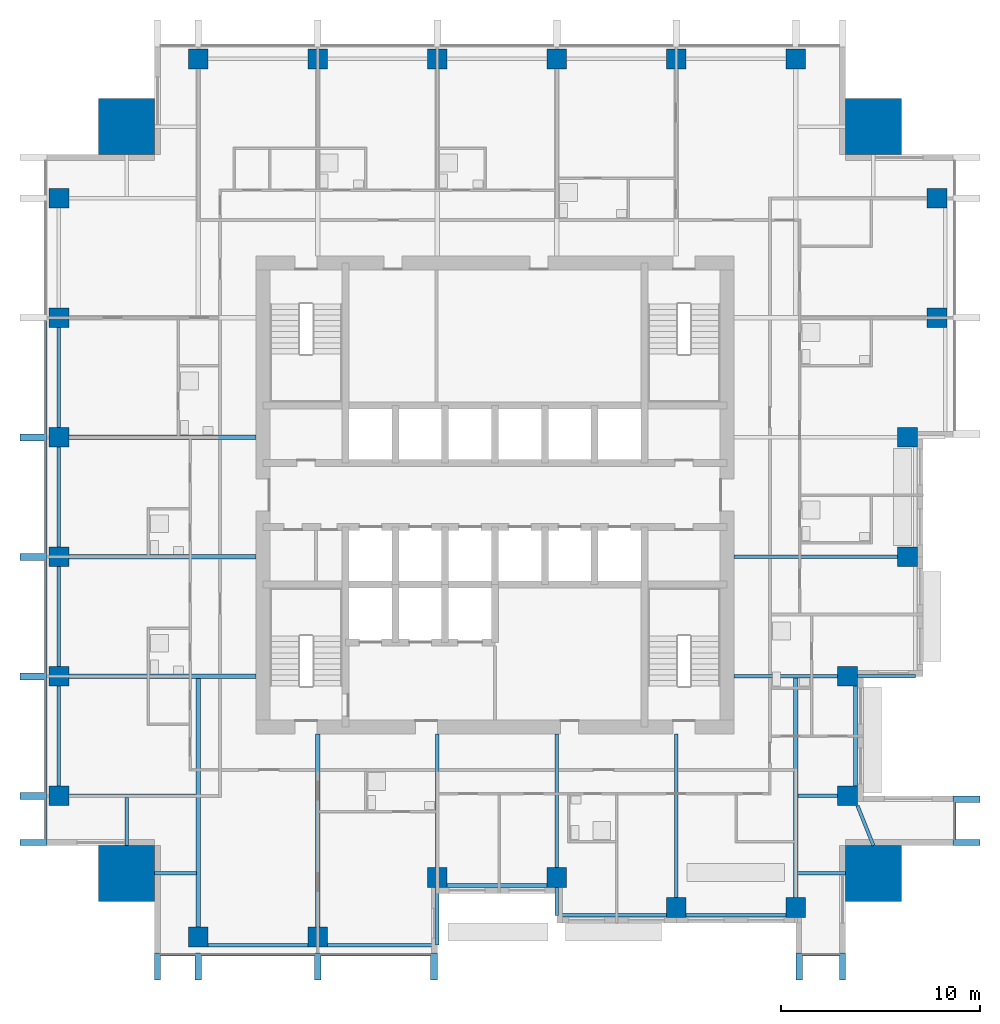
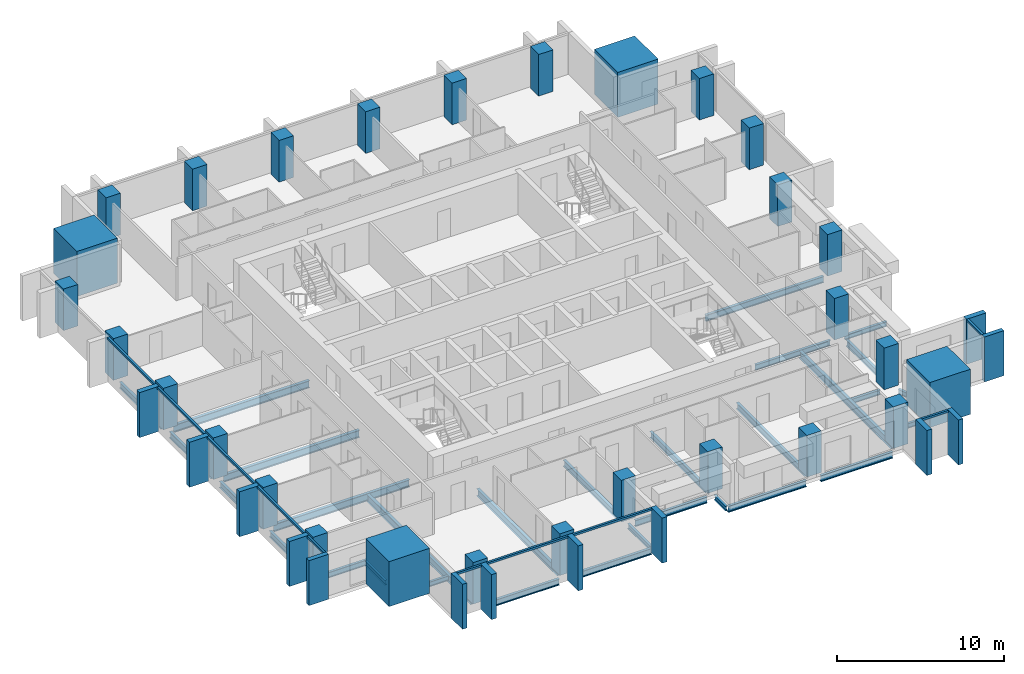
# One storey, part 1 of 10: 30 beams, 28 columns, 23 members, 4 elements without a shape of their own.
"""IFC4 building model written with IfcOpenShell, lengths in metres."""

from ifc_helpers import new_model, si_unit, direction, frame, origin, origin_2d, place, context, subcontext, project, spatial, rectangle, i_section, extrude, material, material_profile, profile_set, type_object, element, aggregate, save


model = new_model("IFC4")

# Units and contexts
model_context = context("Model", 3, precision=1e-05, world=origin(), true_north=direction((0.0, 1.0)))
body_context = subcontext(model_context, "Body", "Model", "MODEL_VIEW")
ifc_project = project(units=[si_unit("LENGTHUNIT", "METRE"), si_unit("AREAUNIT", "SQUARE_METRE"), si_unit("VOLUMEUNIT", "CUBIC_METRE"), si_unit("PLANEANGLEUNIT", "RADIAN"), si_unit("MASSUNIT", "GRAM", prefix="KILO")], contexts=[model_context])

# Site, building, storey
site_placement = place(None, origin())
site = spatial("IfcSite", under=ifc_project, at=site_placement, CompositionType="ELEMENT")
building_placement = place(site_placement, origin())
building = spatial("IfcBuilding", under=site, at=building_placement, Name="Amberfall Residences", CompositionType="ELEMENT")
storey_placement = place(building_placement, frame((0.0, 0.0, 140.5)))
storey = spatial("IfcBuildingStorey", under=building, at=storey_placement, Name="L37", CompositionType="ELEMENT", Elevation=140.5)

# Columns
ifc_material_1 = material(Name="Concrete C60", Category="concrete")
ifc_material_profile_1 = material_profile(ifc_material_1, rectangle(XDim=1.0, YDim=1.0, at=origin_2d()), Name="Column 1000 x 1000 C60")
ifc_profile_set_1 = profile_set([ifc_material_profile_1], Name="Concrete C60")
column_type_1 = type_object("IfcColumnType", Name="Column 1000 x 1000 C60", PredefinedType="COLUMN", material=ifc_profile_set_1)
for number, where, z_axis, x_axis, name in (
    (1, (59.60009765625, 23.300048828125, 0.0), (0.0, 0.0, 1.0), (1.0, 0.0, 0.0), "Column C3 L37 S1"),
    (2, (65.60009765625, 23.300048828125, 0.0), (0.0, 0.0, 1.0), (1.0, 0.0, 0.0), "Column C3 L37 S2"),
    (3, (71.60009765625, 26.300048828125, 0.0), (0.0, 0.0, 1.0), (1.0, 0.0, 0.0), "Column C3 L37 S3"),
    (4, (77.60009765625, 26.300048828125, 0.0), (0.0, 0.0, 1.0), (1.0, 0.0, 0.0), "Column C3 L37 S4"),
    (5, (83.60009765625, 24.800048828125, 0.0), (0.0, 0.0, 1.0), (1.0, 0.0, 0.0), "Column C3 L37 S5"),
    (6, (89.60009765625, 24.800048828125, 0.0), (0.0, 0.0, 1.0), (1.0, 0.0, 0.0), "Column C3 L37 S6"),
    (7, (92.199951171875, 30.39990234375, 0.0), (0.0, 0.0, 1.0), (1.0, 0.0, 0.0), "Column C3 L37 E1"),
    (8, (92.199951171875, 36.39990234375, 0.0), (0.0, 0.0, 1.0), (1.0, 0.0, 0.0), "Column C3 L37 E2"),
    (9, (95.199951171875, 42.39990234375, 0.0), (0.0, 0.0, 1.0), (1.0, 0.0, 0.0), "Column C3 L37 E3"),
    (10, (95.199951171875, 48.39990234375, 0.0), (0.0, 0.0, 1.0), (1.0, 0.0, 0.0), "Column C3 L37 E4"),
    (11, (96.699951171875, 54.39990234375, 0.0), (0.0, 0.0, 1.0), (1.0, 0.0, 0.0), "Column C3 L37 E5"),
    (12, (96.699951171875, 60.39990234375, 0.0), (0.0, 0.0, 1.0), (1.0, 0.0, 0.0), "Column C3 L37 E6"),
    (13, (59.60009765625, 67.39990234375, 0.0), (0.0, 0.0, 1.0), (1.0, 0.0, 0.0), "Column C3 L37 N1"),
    (14, (65.60009765625, 67.39990234375, 0.0), (0.0, 0.0, 1.0), (1.0, 0.0, 0.0), "Column C3 L37 N2"),
    (15, (71.60009765625, 67.39990234375, 0.0), (0.0, 0.0, 1.0), (1.0, 0.0, 0.0), "Column C3 L37 N3"),
    (16, (77.60009765625, 67.39990234375, 0.0), (0.0, 0.0, 1.0), (1.0, 0.0, 0.0), "Column C3 L37 N4"),
    (17, (83.60009765625, 67.39990234375, 0.0), (0.0, 0.0, 1.0), (1.0, 0.0, 0.0), "Column C3 L37 N5"),
    (18, (89.60009765625, 67.39990234375, 0.0), (0.0, 0.0, 1.0), (1.0, 0.0, 0.0), "Column C3 L37 N6"),
    (19, (52.60009765625, 30.39990234375, 0.0), (0.0, 0.0, 1.0), (1.0, 0.0, 0.0), "Column C3 L37 W1"),
    (20, (52.60009765625, 36.39990234375, 0.0), (0.0, 0.0, 1.0), (1.0, 0.0, 0.0), "Column C3 L37 W2"),
    (21, (52.60009765625, 42.39990234375, 0.0), (0.0, 0.0, 1.0), (1.0, 0.0, 0.0), "Column C3 L37 W3"),
    (22, (52.60009765625, 48.39990234375, 0.0), (0.0, 0.0, 1.0), (1.0, 0.0, 0.0), "Column C3 L37 W4"),
    (23, (52.60009765625, 54.39990234375, 0.0), (0.0, 0.0, 1.0), (1.0, 0.0, 0.0), "Column C3 L37 W5"),
    (24, (52.60009765625, 60.39990234375, 0.0), (0.0, 0.0, 1.0), (1.0, 0.0, 0.0), "Column C3 L37 W6"),
):
    element("IfcColumn", number, at=place(storey_placement, frame(where, z_axis=z_axis, x_axis=x_axis)), inside=storey, type_object=column_type_1, Name=name, PredefinedType="COLUMN", context=body_context, shape_type="SweptSolid", body=[
        extrude(rectangle(XDim=1.0, YDim=1.0, at=origin_2d()), origin(), (0.0, 0.0, 1.0), 3.050048828125),
    ])
ifc_material_profile_2 = material_profile(ifc_material_1, rectangle(XDim=2.800048828125, YDim=2.800048828125, at=origin_2d()), Name="Mega column 2800 x 2800 C60")
ifc_profile_set_2 = profile_set([ifc_material_profile_2], Name="Concrete C60")
column_type_2 = type_object("IfcColumnType", Name="Mega column 2800 x 2800 C60", PredefinedType="COLUMN", material=ifc_profile_set_2)
for number, where, z_axis, x_axis, name in (
    (25, (56.0, 26.5, 0.0), (0.0, 0.0, 1.0), (1.0, 0.0, 0.0), "Mega column MC5 L37 SW"),
    (26, (93.5, 26.5, 0.0), (0.0, 0.0, 1.0), (1.0, 0.0, 0.0), "Mega column MC5 L37 SE"),
    (27, (93.5, 64.0, 0.0), (0.0, 0.0, 1.0), (1.0, 0.0, 0.0), "Mega column MC5 L37 NE"),
    (28, (56.0, 64.0, 0.0), (0.0, 0.0, 1.0), (1.0, 0.0, 0.0), "Mega column MC5 L37 NW"),
):
    element("IfcColumn", number, at=place(storey_placement, frame(where, z_axis=z_axis, x_axis=x_axis)), inside=storey, type_object=column_type_2, Name=name, PredefinedType="COLUMN", context=body_context, shape_type="SweptSolid", body=[
        extrude(rectangle(XDim=2.800048828125, YDim=2.800048828125, at=origin_2d()), origin(), (0.0, 0.0, 1.0), 3.300048828125),
    ])

# Curtain wall, members
ifc_material_2 = material(Name="Bronze anodised aluminium and glass", Category="aluminium")
curtain_wall_type = type_object("IfcCurtainWallType", Name="Curtain wall CW1 tower unit", PredefinedType="USERDEFINED", material=ifc_material_2)
curtain_wall_1_placement = place(storey_placement, origin())
curtain_wall_1 = element("IfcCurtainWall", 29, at=curtain_wall_1_placement, inside=storey, type_object=curtain_wall_type, Name="Curtain wall L37 S S1", ObjectType="UNITISED CURTAIN WALL", PredefinedType="USERDEFINED")
ifc_material_3 = material(Name="Bronze anodised aluminium", Category="aluminium")
ifc_material_profile_3 = material_profile(ifc_material_3, rectangle(XDim=0.14990234375, YDim=0.14990234375, at=origin_2d()), Name="CW1 transom 150 x 150 bronze")
ifc_profile_set_3 = profile_set([ifc_material_profile_3], Name="Bronze anodised aluminium")
member_type_1 = type_object("IfcMemberType", Name="CW1 transom 150 x 150 bronze", PredefinedType="USERDEFINED", material=ifc_profile_set_3)
member_1_placement = place(storey_placement, frame((57.699951171875, 22.425048828125, 2.97509765625), z_axis=(1.0, 0.0, 0.0), x_axis=(0.0, 1.0, 0.0)))
member_1 = element("IfcMember", 30, at=member_1_placement, type_object=member_type_1, Name="CW1 transom 1.1", ObjectType="TRANSOM", PredefinedType="USERDEFINED", context=body_context, shape_type="SweptSolid", body=[
    extrude(rectangle(XDim=0.14990234375, YDim=0.14990234375, at=origin_2d()), origin(), (0.0, 0.0, 1.0), 1.72509765625),
])
member_2_placement = place(storey_placement, frame((59.77490234375, 22.425048828125, 2.97509765625), z_axis=(1.0, 0.0, 0.0), x_axis=(0.0, 1.0, 0.0)))
member_2 = element("IfcMember", 31, at=member_2_placement, type_object=member_type_1, Name="CW1 transom 2.1", ObjectType="TRANSOM", PredefinedType="USERDEFINED", context=body_context, shape_type="SweptSolid", body=[
    extrude(rectangle(XDim=0.14990234375, YDim=0.14990234375, at=origin_2d()), origin(), (0.0, 0.0, 1.0), 5.650146484375),
])
member_3_placement = place(storey_placement, frame((65.77490234375, 22.425048828125, 2.97509765625), z_axis=(1.0, 0.0, 0.0), x_axis=(0.0, 1.0, 0.0)))
member_3 = element("IfcMember", 32, at=member_3_placement, type_object=member_type_1, Name="CW1 transom 3.1", ObjectType="TRANSOM", PredefinedType="USERDEFINED", context=body_context, shape_type="SweptSolid", body=[
    extrude(rectangle(XDim=0.14990234375, YDim=0.14990234375, at=origin_2d()), origin(), (0.0, 0.0, 1.0), 5.47509765625),
])

# Curtain wall, member
curtain_wall_2_placement = place(storey_placement, origin())
curtain_wall_2 = element("IfcCurtainWall", 33, at=curtain_wall_2_placement, inside=storey, type_object=curtain_wall_type, Name="Curtain wall L37 S S8", ObjectType="UNITISED CURTAIN WALL", PredefinedType="USERDEFINED")
member_4_placement = place(storey_placement, frame((89.949951171875, 22.425048828125, 2.97509765625), z_axis=(1.0, 0.0, 0.0), x_axis=(0.0, 1.0, 0.0)))
member_4 = element("IfcMember", 34, at=member_4_placement, type_object=member_type_1, Name="CW1 transom 1.1", ObjectType="TRANSOM", PredefinedType="USERDEFINED", context=body_context, shape_type="SweptSolid", body=[
    extrude(rectangle(XDim=0.14990234375, YDim=0.14990234375, at=origin_2d()), origin(), (0.0, 0.0, 1.0), 1.85009765625),
])

curtain_wall_3_placement = place(storey_placement, origin())
curtain_wall_3 = element("IfcCurtainWall", 35, at=curtain_wall_3_placement, inside=storey, type_object=curtain_wall_type, Name="Curtain wall L37 E E1", ObjectType="UNITISED CURTAIN WALL", PredefinedType="USERDEFINED")
member_5_placement = place(storey_placement, frame((97.574951171875, 28.199951171875, 2.97509765625), z_axis=(0.0, 1.0, 0.0), x_axis=(-1.0, 0.0, 0.0)))
member_5 = element("IfcMember", 36, at=member_5_placement, type_object=member_type_1, Name="CW1 transom 1.1", ObjectType="TRANSOM", PredefinedType="USERDEFINED", context=body_context, shape_type="SweptSolid", body=[
    extrude(rectangle(XDim=0.14990234375, YDim=0.14990234375, at=origin_2d()), origin(), (0.0, 0.0, 1.0), 1.85009765625),
])

# Curtain wall, members
curtain_wall_4_placement = place(storey_placement, origin())
curtain_wall_4 = element("IfcCurtainWall", 37, at=curtain_wall_4_placement, inside=storey, type_object=curtain_wall_type, Name="Curtain wall L37 W W1", ObjectType="UNITISED CURTAIN WALL", PredefinedType="USERDEFINED")
member_6_placement = place(storey_placement, frame((51.925048828125, 54.22509765625, 2.97509765625), z_axis=(0.0, -1.0, 0.0), x_axis=(1.0, 0.0, 0.0)))
member_6 = element("IfcMember", 38, at=member_6_placement, type_object=member_type_1, Name="CW1 transom 3.1", ObjectType="TRANSOM", PredefinedType="USERDEFINED", context=body_context, shape_type="SweptSolid", body=[
    extrude(rectangle(XDim=0.14990234375, YDim=0.14990234375, at=origin_2d()), origin(), (0.0, 0.0, 1.0), 5.650146484375),
])
member_7_placement = place(storey_placement, frame((51.925048828125, 48.22509765625, 2.97509765625), z_axis=(0.0, -1.0, 0.0), x_axis=(1.0, 0.0, 0.0)))
member_7 = element("IfcMember", 39, at=member_7_placement, type_object=member_type_1, Name="CW1 transom 4.1", ObjectType="TRANSOM", PredefinedType="USERDEFINED", context=body_context, shape_type="SweptSolid", body=[
    extrude(rectangle(XDim=0.14990234375, YDim=0.14990234375, at=origin_2d()), origin(), (0.0, 0.0, 1.0), 5.650146484375),
])
member_8_placement = place(storey_placement, frame((51.925048828125, 42.22509765625, 2.97509765625), z_axis=(0.0, -1.0, 0.0), x_axis=(1.0, 0.0, 0.0)))
member_8 = element("IfcMember", 40, at=member_8_placement, type_object=member_type_1, Name="CW1 transom 5.1", ObjectType="TRANSOM", PredefinedType="USERDEFINED", context=body_context, shape_type="SweptSolid", body=[
    extrude(rectangle(XDim=0.14990234375, YDim=0.14990234375, at=origin_2d()), origin(), (0.0, 0.0, 1.0), 5.650146484375),
])
member_9_placement = place(storey_placement, frame((51.925048828125, 36.22509765625, 2.97509765625), z_axis=(0.0, -1.0, 0.0), x_axis=(1.0, 0.0, 0.0)))
member_9 = element("IfcMember", 41, at=member_9_placement, type_object=member_type_1, Name="CW1 transom 6.1", ObjectType="TRANSOM", PredefinedType="USERDEFINED", context=body_context, shape_type="SweptSolid", body=[
    extrude(rectangle(XDim=0.14990234375, YDim=0.14990234375, at=origin_2d()), origin(), (0.0, 0.0, 1.0), 5.650146484375),
])
member_10_placement = place(storey_placement, frame((51.925048828125, 30.22509765625, 2.97509765625), z_axis=(0.0, -1.0, 0.0), x_axis=(1.0, 0.0, 0.0)))
member_10 = element("IfcMember", 42, at=member_10_placement, type_object=member_type_1, Name="CW1 transom 7.1", ObjectType="TRANSOM", PredefinedType="USERDEFINED", context=body_context, shape_type="SweptSolid", body=[
    extrude(rectangle(XDim=0.14990234375, YDim=0.14990234375, at=origin_2d()), origin(), (0.0, 0.0, 1.0), 2.025146484375),
])

# Beams
ifc_material_4 = material(Name="Steel S355", Category="steel")
ifc_material_profile_4 = material_profile(ifc_material_4, i_section(OverallWidth=0.171142578125, OverallDepth=0.351318359375, WebThickness=0.007080078125, FlangeThickness=0.009765625, FilletRadius=0.01025390625, at=origin_2d()), Name="UB 356x171x45")
ifc_profile_set_4 = profile_set([ifc_material_profile_4], Name="Steel S355")
beam_type_1 = type_object("IfcBeamType", Name="Cantilever girder UB 356x171x45", PredefinedType="BEAM", material=ifc_profile_set_4)
beam_1_placement = place(storey_placement, frame((71.60009765625, 25.800048828125, -0.42578125), z_axis=(0.0, -1.0, 0.0), x_axis=(1.0, 0.0, 0.0)))
element("IfcBeam", 43, at=beam_1_placement, inside=storey, type_object=beam_type_1, Name="Cantilever girder B8 L37 06", PredefinedType="BEAM", context=body_context, shape_type="SweptSolid", body=[
    extrude(i_section(OverallWidth=0.171142578125, OverallDepth=0.351318359375, WebThickness=0.007080078125, FlangeThickness=0.009765625, FilletRadius=0.01025390625, at=origin_2d()), origin(), (0.0, 0.0, 1.0), 2.900146484375),
])
beam_2_placement = place(storey_placement, frame((77.60009765625, 25.800048828125, -0.42578125), z_axis=(0.0, -1.0, 0.0), x_axis=(1.0, 0.0, 0.0)))
element("IfcBeam", 44, at=beam_2_placement, inside=storey, type_object=beam_type_1, Name="Cantilever girder B8 L37 07", PredefinedType="BEAM", context=body_context, shape_type="SweptSolid", body=[
    extrude(i_section(OverallWidth=0.171142578125, OverallDepth=0.351318359375, WebThickness=0.007080078125, FlangeThickness=0.009765625, FilletRadius=0.01025390625, at=origin_2d()), origin(), (0.0, 0.0, 1.0), 1.400146484375),
])
beam_3_placement = place(storey_placement, frame((92.699951171875, 36.39990234375, -0.42578125), z_axis=(1.0, 0.0, 0.0), x_axis=(0.0, 1.0, 0.0)))
element("IfcBeam", 45, at=beam_3_placement, inside=storey, type_object=beam_type_1, Name="Cantilever girder B8 L37 19", PredefinedType="BEAM", context=body_context, shape_type="SweptSolid", body=[
    extrude(i_section(OverallWidth=0.171142578125, OverallDepth=0.351318359375, WebThickness=0.007080078125, FlangeThickness=0.009765625, FilletRadius=0.01025390625, at=origin_2d()), origin(), (0.0, 0.0, 1.0), 2.900146484375),
])

# Member
ifc_material_profile_5 = material_profile(ifc_material_3, rectangle(XDim=1.35009765625, YDim=0.300048828125, at=origin_2d()), Name="Corner fin 300 x 1350 bronze")
ifc_profile_set_5 = profile_set([ifc_material_profile_5], Name="Bronze anodised aluminium")
member_type_2 = type_object("IfcMemberType", Name="Corner fin 300 x 1350 bronze", PredefinedType="MULLION", material=ifc_profile_set_5)
member_11_placement = place(storey_placement, frame((57.550048828125, 21.824951171875, -0.25), z_axis=(0.0, 0.0, 1.0), x_axis=(0.0, 1.0, 0.0)))
member_11 = element("IfcMember", 46, at=member_11_placement, type_object=member_type_2, Name="CW FIN 1", PredefinedType="MULLION", context=body_context, shape_type="SweptSolid", body=[
    extrude(rectangle(XDim=1.35009765625, YDim=0.300048828125, at=origin_2d()), origin(), (0.0, 0.0, 1.0), 3.300048828125),
])

member_12_placement = place(storey_placement, frame((91.949951171875, 21.824951171875, -0.25), z_axis=(0.0, 0.0, 1.0), x_axis=(0.0, 1.0, 0.0)))
member_12 = element("IfcMember", 47, at=member_12_placement, type_object=member_type_2, Name="CW FIN 2", PredefinedType="MULLION", context=body_context, shape_type="SweptSolid", body=[
    extrude(rectangle(XDim=1.35009765625, YDim=0.300048828125, at=origin_2d()), origin(), (0.0, 0.0, 1.0), 3.300048828125),
])

member_13_placement = place(storey_placement, frame((98.175048828125, 28.050048828125, -0.25), z_axis=(0.0, 0.0, 1.0), x_axis=(-1.0, 0.0, 0.0)))
member_13 = element("IfcMember", 48, at=member_13_placement, type_object=member_type_2, Name="CW FIN 1", PredefinedType="MULLION", context=body_context, shape_type="SweptSolid", body=[
    extrude(rectangle(XDim=1.35009765625, YDim=0.300048828125, at=origin_2d()), origin(), (0.0, 0.0, 1.0), 3.300048828125),
])

member_14_placement = place(storey_placement, frame((51.324951171875, 28.050048828125, -0.25), z_axis=(0.0, 0.0, 1.0), x_axis=(1.0, 0.0, 0.0)))
member_14 = element("IfcMember", 49, at=member_14_placement, type_object=member_type_2, Name="CW FIN 8", PredefinedType="MULLION", context=body_context, shape_type="SweptSolid", body=[
    extrude(rectangle(XDim=1.35009765625, YDim=0.300048828125, at=origin_2d()), origin(), (0.0, 0.0, 1.0), 3.300048828125),
])

# Beams
ifc_material_profile_6 = material_profile(ifc_material_4, i_section(OverallWidth=0.18994140625, OverallDepth=0.453369140625, WebThickness=0.008544921875, FlangeThickness=0.0126953125, FilletRadius=0.01025390625, at=origin_2d()), Name="UB 457x191x67")
ifc_profile_set_6 = profile_set([ifc_material_profile_6], Name="Steel S355")
beam_type_2 = type_object("IfcBeamType", Name="Edge beam UB 457x191x67", PredefinedType="SPANDREL", material=ifc_profile_set_6)
beam_4_placement = place(storey_placement, frame((60.10009765625, 22.89990234375, -0.476806640625), z_axis=(1.0, 0.0, 0.0), x_axis=(0.0, 1.0, 0.0)))
element("IfcBeam", 50, at=beam_4_placement, inside=storey, type_object=beam_type_2, Name="Edge beam B1 L37 01", PredefinedType="SPANDREL", context=body_context, shape_type="SweptSolid", body=[
    extrude(i_section(OverallWidth=0.18994140625, OverallDepth=0.453369140625, WebThickness=0.008544921875, FlangeThickness=0.0126953125, FilletRadius=0.01025390625, at=origin_2d()), origin(), (0.0, 0.0, 1.0), 5.0),
])
beam_5_placement = place(storey_placement, frame((66.10009765625, 22.89990234375, -0.476806640625), z_axis=(1.0, 0.0, 0.0), x_axis=(0.0, 1.0, 0.0)))
element("IfcBeam", 51, at=beam_5_placement, inside=storey, type_object=beam_type_2, Name="Edge beam B1 L37 02", PredefinedType="SPANDREL", context=body_context, shape_type="SweptSolid", body=[
    extrude(i_section(OverallWidth=0.18994140625, OverallDepth=0.453369140625, WebThickness=0.008544921875, FlangeThickness=0.0126953125, FilletRadius=0.01025390625, at=origin_2d()), origin(), (0.0, 0.0, 1.0), 5.419921875),
])
beam_6_placement = place(storey_placement, frame((72.10009765625, 25.89990234375, -0.476806640625), z_axis=(1.0, 0.0, 0.0), x_axis=(0.0, 1.0, 0.0)))
element("IfcBeam", 52, at=beam_6_placement, inside=storey, type_object=beam_type_2, Name="Edge beam B1 L37 03", PredefinedType="SPANDREL", context=body_context, shape_type="SweptSolid", body=[
    extrude(i_section(OverallWidth=0.18994140625, OverallDepth=0.453369140625, WebThickness=0.008544921875, FlangeThickness=0.0126953125, FilletRadius=0.01025390625, at=origin_2d()), origin(), (0.0, 0.0, 1.0), 5.0),
])
beam_7_placement = place(storey_placement, frame((77.679931640625, 24.39990234375, -0.476806640625), z_axis=(1.0, 0.0, 0.0), x_axis=(0.0, 1.0, 0.0)))
element("IfcBeam", 53, at=beam_7_placement, inside=storey, type_object=beam_type_2, Name="Edge beam B1 L37 04", PredefinedType="SPANDREL", context=body_context, shape_type="SweptSolid", body=[
    extrude(i_section(OverallWidth=0.18994140625, OverallDepth=0.453369140625, WebThickness=0.008544921875, FlangeThickness=0.0126953125, FilletRadius=0.01025390625, at=origin_2d()), origin(), (0.0, 0.0, 1.0), 5.420166015625),
])
for number, where, z_axis, x_axis, name in (
    (54, (84.10009765625, 24.39990234375, -0.476806640625), (1.0, 0.0, 0.0), (0.0, 1.0, 0.0), "Edge beam B1 L37 05"),
    (55, (92.60009765625, 30.89990234375, -0.476806640625), (0.0, 1.0, 0.0), (-1.0, 0.0, 0.0), "Edge beam B1 L37 14"),
    (56, (52.60009765625, 30.89990234375, -0.476806640625), (0.0, 1.0, 0.0), (-1.0, 0.0, 0.0), "Edge beam B1 L37 38"),
    (57, (52.60009765625, 36.89990234375, -0.476806640625), (0.0, 1.0, 0.0), (-1.0, 0.0, 0.0), "Edge beam B1 L37 39"),
    (58, (52.60009765625, 42.89990234375, -0.476806640625), (0.0, 1.0, 0.0), (-1.0, 0.0, 0.0), "Edge beam B1 L37 40"),
    (59, (52.60009765625, 48.89990234375, -0.476806640625), (0.0, 1.0, 0.0), (-1.0, 0.0, 0.0), "Edge beam B1 L37 41"),
):
    element("IfcBeam", number, at=place(storey_placement, frame(where, z_axis=z_axis, x_axis=x_axis)), inside=storey, type_object=beam_type_2, Name=name, PredefinedType="SPANDREL", context=body_context, shape_type="SweptSolid", body=[
        extrude(i_section(OverallWidth=0.18994140625, OverallDepth=0.453369140625, WebThickness=0.008544921875, FlangeThickness=0.0126953125, FilletRadius=0.01025390625, at=origin_2d()), origin(), (0.0, 0.0, 1.0), 5.0),
    ])

# Member
ifc_material_profile_7 = material_profile(ifc_material_3, rectangle(XDim=1.35009765625, YDim=0.35009765625, at=origin_2d()), Name="Fin 350 x 1350 bronze")
ifc_profile_set_7 = profile_set([ifc_material_profile_7], Name="Bronze anodised aluminium")
member_type_3 = type_object("IfcMemberType", Name="Fin 350 x 1350 bronze", PredefinedType="MULLION", material=ifc_profile_set_7)
member_15_placement = place(storey_placement, frame((59.60009765625, 21.824951171875, -0.25), z_axis=(0.0, 0.0, 1.0), x_axis=(0.0, 1.0, 0.0)))
member_15 = element("IfcMember", 60, at=member_15_placement, type_object=member_type_3, Name="CW FIN 2", PredefinedType="MULLION", context=body_context, shape_type="SweptSolid", body=[
    extrude(rectangle(XDim=1.35009765625, YDim=0.35009765625, at=origin_2d()), origin(), (0.0, 0.0, 1.0), 3.300048828125),
])

member_16_placement = place(storey_placement, frame((65.60009765625, 21.824951171875, -0.25), z_axis=(0.0, 0.0, 1.0), x_axis=(0.0, 1.0, 0.0)))
member_16 = element("IfcMember", 61, at=member_16_placement, type_object=member_type_3, Name="CW FIN 3", PredefinedType="MULLION", context=body_context, shape_type="SweptSolid", body=[
    extrude(rectangle(XDim=1.35009765625, YDim=0.35009765625, at=origin_2d()), origin(), (0.0, 0.0, 1.0), 3.300048828125),
])

member_17_placement = place(storey_placement, frame((71.425048828125, 21.824951171875, -0.25), z_axis=(0.0, 0.0, 1.0), x_axis=(0.0, 1.0, 0.0)))
member_17 = element("IfcMember", 62, at=member_17_placement, type_object=member_type_3, Name="CW FIN 4", PredefinedType="MULLION", context=body_context, shape_type="SweptSolid", body=[
    extrude(rectangle(XDim=1.35009765625, YDim=0.35009765625, at=origin_2d()), origin(), (0.0, 0.0, 1.0), 3.300048828125),
])

aggregate(curtain_wall_1, [member_11, member_15, member_16, member_17, member_1, member_2, member_3])

member_18_placement = place(storey_placement, frame((89.77490234375, 21.824951171875, -0.25), z_axis=(0.0, 0.0, 1.0), x_axis=(0.0, 1.0, 0.0)))
member_18 = element("IfcMember", 63, at=member_18_placement, type_object=member_type_3, Name="CW FIN 1", PredefinedType="MULLION", context=body_context, shape_type="SweptSolid", body=[
    extrude(rectangle(XDim=1.35009765625, YDim=0.35009765625, at=origin_2d()), origin(), (0.0, 0.0, 1.0), 3.300048828125),
])

aggregate(curtain_wall_2, [member_18, member_12, member_4])

member_19_placement = place(storey_placement, frame((98.175048828125, 30.22509765625, -0.25), z_axis=(0.0, 0.0, 1.0), x_axis=(-1.0, 0.0, 0.0)))
member_19 = element("IfcMember", 64, at=member_19_placement, type_object=member_type_3, Name="CW FIN 2", PredefinedType="MULLION", context=body_context, shape_type="SweptSolid", body=[
    extrude(rectangle(XDim=1.35009765625, YDim=0.35009765625, at=origin_2d()), origin(), (0.0, 0.0, 1.0), 3.300048828125),
])

aggregate(curtain_wall_3, [member_13, member_19, member_5])

member_20_placement = place(storey_placement, frame((51.324951171875, 48.39990234375, -0.25), z_axis=(0.0, 0.0, 1.0), x_axis=(1.0, 0.0, 0.0)))
member_20 = element("IfcMember", 65, at=member_20_placement, type_object=member_type_3, Name="CW FIN 4", PredefinedType="MULLION", context=body_context, shape_type="SweptSolid", body=[
    extrude(rectangle(XDim=1.35009765625, YDim=0.35009765625, at=origin_2d()), origin(), (0.0, 0.0, 1.0), 3.300048828125),
])

member_21_placement = place(storey_placement, frame((51.324951171875, 42.39990234375, -0.25), z_axis=(0.0, 0.0, 1.0), x_axis=(1.0, 0.0, 0.0)))
member_21 = element("IfcMember", 66, at=member_21_placement, type_object=member_type_3, Name="CW FIN 5", PredefinedType="MULLION", context=body_context, shape_type="SweptSolid", body=[
    extrude(rectangle(XDim=1.35009765625, YDim=0.35009765625, at=origin_2d()), origin(), (0.0, 0.0, 1.0), 3.300048828125),
])

member_22_placement = place(storey_placement, frame((51.324951171875, 36.39990234375, -0.25), z_axis=(0.0, 0.0, 1.0), x_axis=(1.0, 0.0, 0.0)))
member_22 = element("IfcMember", 67, at=member_22_placement, type_object=member_type_3, Name="CW FIN 6", PredefinedType="MULLION", context=body_context, shape_type="SweptSolid", body=[
    extrude(rectangle(XDim=1.35009765625, YDim=0.35009765625, at=origin_2d()), origin(), (0.0, 0.0, 1.0), 3.300048828125),
])

member_23_placement = place(storey_placement, frame((51.324951171875, 30.39990234375, -0.25), z_axis=(0.0, 0.0, 1.0), x_axis=(1.0, 0.0, 0.0)))
member_23 = element("IfcMember", 68, at=member_23_placement, type_object=member_type_3, Name="CW FIN 7", PredefinedType="MULLION", context=body_context, shape_type="SweptSolid", body=[
    extrude(rectangle(XDim=1.35009765625, YDim=0.35009765625, at=origin_2d()), origin(), (0.0, 0.0, 1.0), 3.300048828125),
])

aggregate(curtain_wall_4, [member_20, member_21, member_22, member_23, member_14, member_6, member_7, member_8, member_9, member_10])

# Beams
ifc_material_profile_8 = material_profile(ifc_material_4, i_section(OverallWidth=0.171142578125, OverallDepth=0.351318359375, WebThickness=0.007080078125, FlangeThickness=0.009765625, FilletRadius=0.01025390625, at=origin_2d()), Name="UB 356x171x45")
ifc_profile_set_8 = profile_set([ifc_material_profile_8], Name="Steel S355")
beam_type_3 = type_object("IfcBeamType", Name="Floor girder UB 356x171x45", PredefinedType="BEAM", material=ifc_profile_set_8)
beam_8_placement = place(storey_placement, frame((91.699951171875, 30.39990234375, -0.42578125), z_axis=(-1.0, 0.0, 0.0), x_axis=(0.0, -1.0, 0.0)))
element("IfcBeam", 69, at=beam_8_placement, inside=storey, type_object=beam_type_3, Name="Floor girder B11 L37 21", PredefinedType="BEAM", context=body_context, shape_type="SweptSolid", body=[
    extrude(i_section(OverallWidth=0.171142578125, OverallDepth=0.351318359375, WebThickness=0.007080078125, FlangeThickness=0.009765625, FilletRadius=0.01025390625, at=origin_2d()), origin(), (0.0, 0.0, 1.0), 1.97998046875),
])
ifc_material_profile_9 = material_profile(ifc_material_4, i_section(OverallWidth=0.177734375, OverallDepth=0.402587890625, WebThickness=0.0078125, FlangeThickness=0.010986328125, FilletRadius=0.01025390625, at=origin_2d()), Name="UB 406x178x54")
ifc_profile_set_9 = profile_set([ifc_material_profile_9], Name="Steel S355")
beam_type_4 = type_object("IfcBeamType", Name="Floor girder UB 406x178x54", PredefinedType="BEAM", material=ifc_profile_set_9)
beam_9_placement = place(storey_placement, frame((91.699951171875, 36.39990234375, -0.451416015625), z_axis=(-1.0, 0.0, 0.0), x_axis=(0.0, -1.0, 0.0)))
element("IfcBeam", 70, at=beam_9_placement, inside=storey, type_object=beam_type_4, Name="Floor girder B4 L37 22", PredefinedType="BEAM", context=body_context, shape_type="SweptSolid", body=[
    extrude(i_section(OverallWidth=0.177734375, OverallDepth=0.402587890625, WebThickness=0.0078125, FlangeThickness=0.010986328125, FilletRadius=0.01025390625, at=origin_2d()), origin(), (0.0, 0.0, 1.0), 5.199951171875),
])
beam_10_placement = place(storey_placement, frame((53.10009765625, 30.39990234375, -0.451416015625), z_axis=(1.0, 0.0, 0.0), x_axis=(0.0, 1.0, 0.0)))
element("IfcBeam", 71, at=beam_10_placement, inside=storey, type_object=beam_type_4, Name="Floor girder B4 L37 43", PredefinedType="BEAM", context=body_context, shape_type="SweptSolid", body=[
    extrude(i_section(OverallWidth=0.177734375, OverallDepth=0.402587890625, WebThickness=0.0078125, FlangeThickness=0.010986328125, FilletRadius=0.01025390625, at=origin_2d()), origin(), (0.0, 0.0, 1.0), 6.3798828125),
])
ifc_material_profile_10 = material_profile(ifc_material_4, i_section(OverallWidth=0.19140625, OverallDepth=0.4599609375, WebThickness=0.010009765625, FlangeThickness=0.01611328125, FilletRadius=0.01025390625, at=origin_2d()), Name="UB 457x191x82")
ifc_profile_set_10 = profile_set([ifc_material_profile_10], Name="Steel S355")
beam_type_5 = type_object("IfcBeamType", Name="Floor girder UB 457x191x82", PredefinedType="BEAM", material=ifc_profile_set_10)
for number, where, z_axis, x_axis, name in (
    (72, (71.60009765625, 26.800048828125, -0.47998046875), (0.0, 1.0, 0.0), (-1.0, 0.0, 0.0), "Floor girder B10 L37 10"),
    (73, (77.60009765625, 26.800048828125, -0.47998046875), (0.0, 1.0, 0.0), (-1.0, 0.0, 0.0), "Floor girder B10 L37 11"),
):
    element("IfcBeam", number, at=place(storey_placement, frame(where, z_axis=z_axis, x_axis=x_axis)), inside=storey, type_object=beam_type_5, Name=name, PredefinedType="BEAM", context=body_context, shape_type="SweptSolid", body=[
        extrude(i_section(OverallWidth=0.19140625, OverallDepth=0.4599609375, WebThickness=0.010009765625, FlangeThickness=0.01611328125, FilletRadius=0.01025390625, at=origin_2d()), origin(), (0.0, 0.0, 1.0), 6.699951171875),
    ])
for number, where, z_axis, x_axis, name in (
    (74, (83.60009765625, 25.300048828125, -0.47998046875), (0.0, 1.0, 0.0), (-1.0, 0.0, 0.0), "Floor girder B10 L37 12"),
    (75, (94.699951171875, 42.39990234375, -0.47998046875), (-1.0, 0.0, 0.0), (0.0, -1.0, 0.0), "Floor girder B10 L37 23"),
):
    element("IfcBeam", number, at=place(storey_placement, frame(where, z_axis=z_axis, x_axis=x_axis)), inside=storey, type_object=beam_type_5, Name=name, PredefinedType="BEAM", context=body_context, shape_type="SweptSolid", body=[
        extrude(i_section(OverallWidth=0.19140625, OverallDepth=0.4599609375, WebThickness=0.010009765625, FlangeThickness=0.01611328125, FilletRadius=0.01025390625, at=origin_2d()), origin(), (0.0, 0.0, 1.0), 8.199951171875),
    ])
ifc_material_profile_11 = material_profile(ifc_material_4, i_section(OverallWidth=0.210693359375, OverallDepth=0.53955078125, WebThickness=0.01171875, FlangeThickness=0.018798828125, FilletRadius=0.0126953125, at=origin_2d()), Name="UB 533x210x109")
ifc_profile_set_11 = profile_set([ifc_material_profile_11], Name="Steel S355")
beam_type_6 = type_object("IfcBeamType", Name="Floor girder UB 533x210x109", PredefinedType="BEAM", material=ifc_profile_set_11)
beam_11_placement = place(storey_placement, frame((59.60009765625, 23.800048828125, -0.519775390625), z_axis=(0.0, 1.0, 0.0), x_axis=(-1.0, 0.0, 0.0)))
element("IfcBeam", 76, at=beam_11_placement, inside=storey, type_object=beam_type_6, Name="Floor girder B2 L37 08", PredefinedType="BEAM", context=body_context, shape_type="SweptSolid", body=[
    extrude(i_section(OverallWidth=0.210693359375, OverallDepth=0.53955078125, WebThickness=0.01171875, FlangeThickness=0.018798828125, FilletRadius=0.0126953125, at=origin_2d()), origin(), (0.0, 0.0, 1.0), 12.500244140625),
])
beam_12_placement = place(storey_placement, frame((89.60009765625, 25.300048828125, -0.519775390625), z_axis=(0.0, 1.0, 0.0), x_axis=(-1.0, 0.0, 0.0)))
element("IfcBeam", 77, at=beam_12_placement, inside=storey, type_object=beam_type_6, Name="Floor girder B2 L37 13", PredefinedType="BEAM", context=body_context, shape_type="SweptSolid", body=[
    extrude(i_section(OverallWidth=0.210693359375, OverallDepth=0.53955078125, WebThickness=0.01171875, FlangeThickness=0.018798828125, FilletRadius=0.0126953125, at=origin_2d()), origin(), (0.0, 0.0, 1.0), 11.01611328125),
])
ifc_material_profile_12 = material_profile(ifc_material_4, i_section(OverallWidth=0.209228515625, OverallDepth=0.533203125, WebThickness=0.010009765625, FlangeThickness=0.015625, FilletRadius=0.0126953125, at=origin_2d()), Name="UB 533x210x92")
ifc_profile_set_12 = profile_set([ifc_material_profile_12], Name="Steel S355")
beam_type_7 = type_object("IfcBeamType", Name="Floor girder UB 533x210x92", PredefinedType="BEAM", material=ifc_profile_set_12)
beam_13_placement = place(storey_placement, frame((65.60009765625, 23.800048828125, -0.5166015625), z_axis=(0.0, 1.0, 0.0), x_axis=(-1.0, 0.0, 0.0)))
element("IfcBeam", 78, at=beam_13_placement, inside=storey, type_object=beam_type_7, Name="Floor girder B3 L37 09", PredefinedType="BEAM", context=body_context, shape_type="SweptSolid", body=[
    extrude(i_section(OverallWidth=0.209228515625, OverallDepth=0.533203125, WebThickness=0.010009765625, FlangeThickness=0.015625, FilletRadius=0.0126953125, at=origin_2d()), origin(), (0.0, 0.0, 1.0), 9.699951171875),
])
for number, where, z_axis, x_axis, name in (
    (79, (53.10009765625, 36.39990234375, -0.5166015625), (1.0, 0.0, 0.0), (0.0, 1.0, 0.0), "Floor girder B3 L37 44"),
    (80, (53.10009765625, 42.39990234375, -0.5166015625), (1.0, 0.0, 0.0), (0.0, 1.0, 0.0), "Floor girder B3 L37 45"),
    (81, (53.10009765625, 48.39990234375, -0.5166015625), (1.0, 0.0, 0.0), (0.0, 1.0, 0.0), "Floor girder B3 L37 46"),
):
    element("IfcBeam", number, at=place(storey_placement, frame(where, z_axis=z_axis, x_axis=x_axis)), inside=storey, type_object=beam_type_7, Name=name, PredefinedType="BEAM", context=body_context, shape_type="SweptSolid", body=[
        extrude(i_section(OverallWidth=0.209228515625, OverallDepth=0.533203125, WebThickness=0.010009765625, FlangeThickness=0.015625, FilletRadius=0.0126953125, at=origin_2d()), origin(), (0.0, 0.0, 1.0), 9.39990234375),
    ])
ifc_material_profile_13 = material_profile(ifc_material_4, i_section(OverallWidth=0.171142578125, OverallDepth=0.351318359375, WebThickness=0.007080078125, FlangeThickness=0.009765625, FilletRadius=0.01025390625, at=origin_2d()), Name="UB 356x171x45")
ifc_profile_set_13 = profile_set([ifc_material_profile_13], Name="Steel S355")
beam_type_8 = type_object("IfcBeamType", Name="Link beam UB 356x171x45", PredefinedType="BEAM", material=ifc_profile_set_13)
beam_14_placement = place(storey_placement, frame((57.39990234375, 26.5, -0.42578125), z_axis=(1.0, 0.0, 0.0), x_axis=(0.0, 1.0, 0.0)))
element("IfcBeam", 82, at=beam_14_placement, inside=storey, type_object=beam_type_8, Name="Link beam B7 L37 49", PredefinedType="BEAM", context=body_context, shape_type="SweptSolid", body=[
    extrude(i_section(OverallWidth=0.171142578125, OverallDepth=0.351318359375, WebThickness=0.007080078125, FlangeThickness=0.009765625, FilletRadius=0.01025390625, at=origin_2d()), origin(), (0.0, 0.0, 1.0), 2.104736328125),
])
beam_15_placement = place(storey_placement, frame((56.0, 27.89990234375, -0.42578125), z_axis=(0.0, 1.0, 0.0), x_axis=(-1.0, 0.0, 0.0)))
element("IfcBeam", 83, at=beam_15_placement, inside=storey, type_object=beam_type_8, Name="Link beam B7 L37 50", PredefinedType="BEAM", context=body_context, shape_type="SweptSolid", body=[
    extrude(i_section(OverallWidth=0.171142578125, OverallDepth=0.351318359375, WebThickness=0.007080078125, FlangeThickness=0.009765625, FilletRadius=0.01025390625, at=origin_2d()), origin(), (0.0, 0.0, 1.0), 2.42138671875),
])
beam_16_placement = place(storey_placement, frame((92.10009765625, 26.5, -0.42578125), z_axis=(-1.0, 0.0, 0.0), x_axis=(0.0, -1.0, 0.0)))
element("IfcBeam", 84, at=beam_16_placement, inside=storey, type_object=beam_type_8, Name="Link beam B7 L37 51", PredefinedType="BEAM", context=body_context, shape_type="SweptSolid", body=[
    extrude(i_section(OverallWidth=0.171142578125, OverallDepth=0.351318359375, WebThickness=0.007080078125, FlangeThickness=0.009765625, FilletRadius=0.01025390625, at=origin_2d()), origin(), (0.0, 0.0, 1.0), 2.405517578125),
])
beam_17_placement = place(storey_placement, frame((93.5, 27.89990234375, -0.42578125), z_axis=(-0.37141021739, 0.928468874232, 0.0), x_axis=(-0.928468874232, -0.37141021739, 0.0)))
element("IfcBeam", 85, at=beam_17_placement, inside=storey, type_object=beam_type_8, Name="Link beam B7 L37 52", PredefinedType="BEAM", context=body_context, shape_type="SweptSolid", body=[
    extrude(i_section(OverallWidth=0.171142578125, OverallDepth=0.351318359375, WebThickness=0.007080078125, FlangeThickness=0.009765625, FilletRadius=0.01025390625, at=origin_2d()), origin(), (0.0, 0.0, 1.0), 2.154052734375),
])

save(model, "model.ifc")
